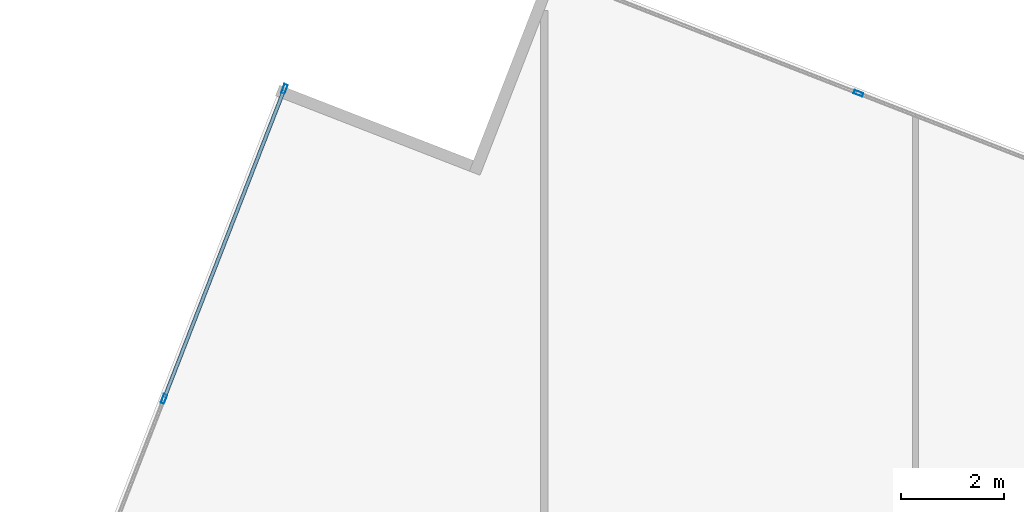
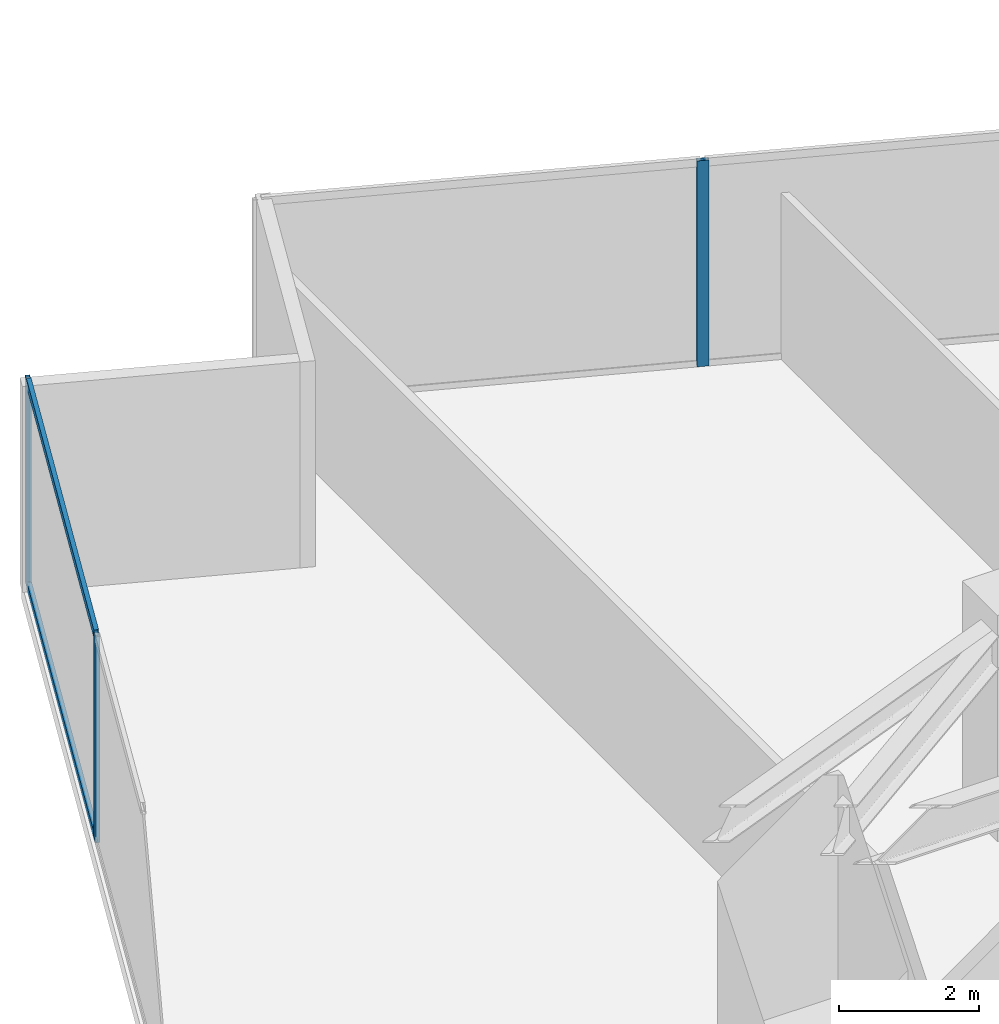
# One storey, part 16 of 26: 5 members, 2 elements without a shape of their own.
"""IFC4 building model written with IfcOpenShell, lengths in metres."""

from ifc_helpers import new_model, si_unit, direction, frame, origin, origin_2d, place, context, subcontext, project, spatial, hollow_rectangle, extrude, source, transform, mapped, material, material_profile, profile_set, type_object, type_shapes, element, aggregate, save


model = new_model("IFC4")

# Units and contexts
model_context = context("Model", 3, precision=1e-05, world=origin(), true_north=direction((0.0, 1.0)))
body_context = subcontext(model_context, "Body", "Model", "MODEL_VIEW")
ifc_project = project(units=[si_unit("LENGTHUNIT", "METRE"), si_unit("AREAUNIT", "SQUARE_METRE"), si_unit("VOLUMEUNIT", "CUBIC_METRE"), si_unit("PLANEANGLEUNIT", "RADIAN"), si_unit("MASSUNIT", "GRAM", prefix="KILO")], contexts=[model_context])

# Site, building, storey
site_placement = place(None, origin())
site = spatial("IfcSite", under=ifc_project, at=site_placement, CompositionType="ELEMENT")
building_placement = place(site_placement, origin())
building = spatial("IfcBuilding", under=site, at=building_placement, Name="Krantzveldt Concourse Tower", CompositionType="ELEMENT")
storey_placement = place(building_placement, frame((0.0, 0.0, 137.449951171875)))
storey = spatial("IfcBuildingStorey", under=building, at=storey_placement, Name="L33", CompositionType="ELEMENT", Elevation=137.449951171875)

# Curtain wall, members
ifc_material = material(Name="Anodised aluminium 6063-T6", Category="aluminium")
curtain_wall_type = type_object("IfcCurtainWallType", Name="CW2", PredefinedType="USERDEFINED", material=ifc_material)
curtain_wall_1_placement = place(storey_placement, origin())
curtain_wall_1 = element("IfcCurtainWall", 1, at=curtain_wall_1_placement, inside=storey, type_object=curtain_wall_type, Name="CW-L33-F01", ObjectType="UNITISED CURTAIN WALL", PredefinedType="USERDEFINED")
ifc_material_profile_1 = material_profile(ifc_material, hollow_rectangle(XDim=0.070068359375, YDim=0.139892578125, WallThickness=0.0048828125, at=origin_2d()), Name="Anodised aluminium 6063-T6", Category="aluminium")
ifc_profile_set_1 = profile_set([ifc_material_profile_1], Name="Anodised aluminium 6063-T6 - ALU-TRAN 140x70x5")
member_type_1 = type_object("IfcMemberType", Name="CW-TRN-150", PredefinedType="USERDEFINED", material=ifc_profile_set_1)
shared_shape_1 = source(origin(), body_context, "Body", "SweptSolid", [
    extrude(hollow_rectangle(XDim=0.070068359375, YDim=0.139892578125, WallThickness=0.0048828125, at=origin_2d()), origin(), (0.0, 0.0, 1.0), 6.361572265625),
])
type_shapes(member_type_1, [shared_shape_1])
member_1_placement = place(storey_placement, frame((21.28076171875, 53.1640625, 0.03515625), z_axis=(-0.362440705101, -0.93200683221, 0.0), x_axis=(0.93200683221, -0.362440705101, 0.0)))
member_1 = element("IfcMember", 2, at=member_1_placement, type_object=member_type_1, Name="CW-Z12 transom 1.1", ObjectType="TRANSOM", PredefinedType="USERDEFINED", context=body_context, shape_type="MappedRepresentation", body=[
    mapped(shared_shape_1, transform((0.0, 0.0, 0.0), x_axis=(1.0, 0.0, 0.0), y_axis=(0.0, 1.0, 0.0), z_axis=(0.0, 0.0, 1.0), scale=1.0)),
])
member_2_placement = place(storey_placement, frame((21.28076171875, 53.1640625, 3.56494140625), z_axis=(-0.362440705101, -0.93200683221, 0.0), x_axis=(0.93200683221, -0.362440705101, 0.0)))
member_2 = element("IfcMember", 3, at=member_2_placement, type_object=member_type_1, Name="CW-Z12 transom 1.2", ObjectType="TRANSOM", PredefinedType="USERDEFINED", context=body_context, shape_type="MappedRepresentation", body=[
    mapped(shared_shape_1, transform((0.0, 0.0, 0.0), x_axis=(1.0, 0.0, 0.0), y_axis=(0.0, 1.0, 0.0), z_axis=(0.0, 0.0, 1.0), scale=1.0)),
])
ifc_material_profile_2 = material_profile(ifc_material, hollow_rectangle(XDim=0.070068359375, YDim=0.179931640625, WallThickness=0.0048828125, at=origin_2d()), Name="Anodised aluminium 6063-T6", Category="aluminium")
ifc_profile_set_2 = profile_set([ifc_material_profile_2], Name="Anodised aluminium 6063-T6 - ALU-MULL 180x70x5")
member_type_2 = type_object("IfcMemberType", Name="CW-MUL-180", PredefinedType="MULLION", material=ifc_profile_set_2)
shared_shape_2 = source(origin(), body_context, "Body", "SweptSolid", [
    extrude(hollow_rectangle(XDim=0.070068359375, YDim=0.179931640625, WallThickness=0.0048828125, at=origin_2d()), origin(), (0.0, 0.0, 1.0), 3.60009765625),
])
type_shapes(member_type_2, [shared_shape_2])
member_3_placement = place(storey_placement, frame((21.29345703125, 53.19677734375, 0.0), z_axis=(0.0, 0.0, 1.0), x_axis=(0.93200790248, -0.362437952917, 0.0)))
member_3 = element("IfcMember", 4, at=member_3_placement, type_object=member_type_2, Name="CW-Z12 mullion 1", PredefinedType="MULLION", context=body_context, shape_type="MappedRepresentation", body=[
    mapped(shared_shape_2, transform((0.0, 0.0, 0.0), x_axis=(1.0, 0.0, 0.0), y_axis=(0.0, 1.0, 0.0), z_axis=(0.0, 0.0, 1.0), scale=1.0)),
])
member_4_placement = place(storey_placement, frame((18.96240234375, 47.202392578125, 0.0), z_axis=(0.0, 0.0, 1.0), x_axis=(0.93200790248, -0.362437952917, 0.0)))
member_4 = element("IfcMember", 5, at=member_4_placement, type_object=member_type_2, Name="CW-Z12 mullion 2", PredefinedType="MULLION", context=body_context, shape_type="MappedRepresentation", body=[
    mapped(shared_shape_2, transform((0.0, 0.0, 0.0), x_axis=(1.0, 0.0, 0.0), y_axis=(0.0, 1.0, 0.0), z_axis=(0.0, 0.0, 1.0), scale=1.0)),
])
aggregate(curtain_wall_1, [member_3, member_4, member_1, member_2])

# Curtain wall, member
curtain_wall_2_placement = place(storey_placement, origin())
curtain_wall_2 = element("IfcCurtainWall", 6, at=curtain_wall_2_placement, inside=storey, type_object=curtain_wall_type, Name="CW-L33-F14", ObjectType="UNITISED CURTAIN WALL", PredefinedType="USERDEFINED")
member_5_placement = place(storey_placement, frame((32.39453125, 53.112548828125, 0.0), z_axis=(0.0, 0.0, 1.0), x_axis=(-0.362437952917, -0.93200790248, 0.0)))
member_5 = element("IfcMember", 7, at=member_5_placement, type_object=member_type_2, Name="CW-Z12 mullion 6", PredefinedType="MULLION", context=body_context, shape_type="MappedRepresentation", body=[
    mapped(shared_shape_2, transform((0.0, 0.0, 0.0), x_axis=(1.0, 0.0, 0.0), y_axis=(0.0, 1.0, 0.0), z_axis=(0.0, 0.0, 1.0), scale=1.0)),
])
aggregate(curtain_wall_2, [member_5])

save(model, "model.ifc")
